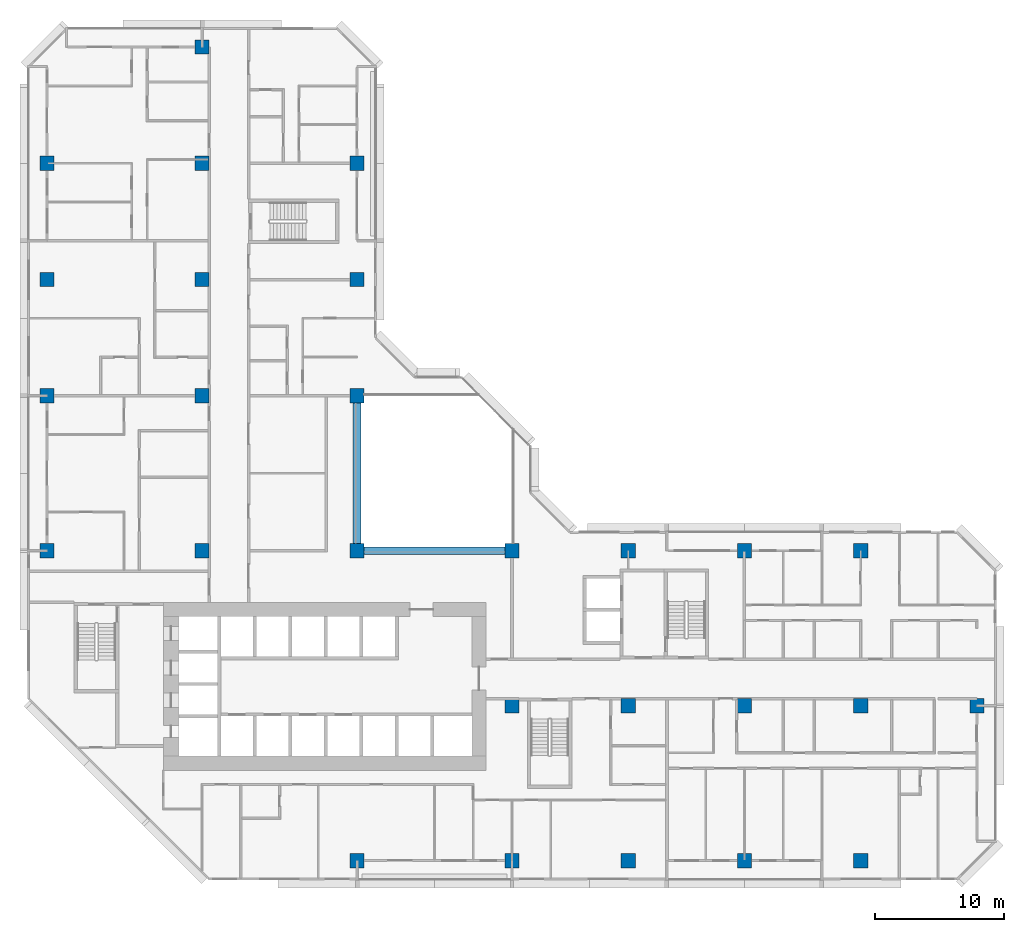
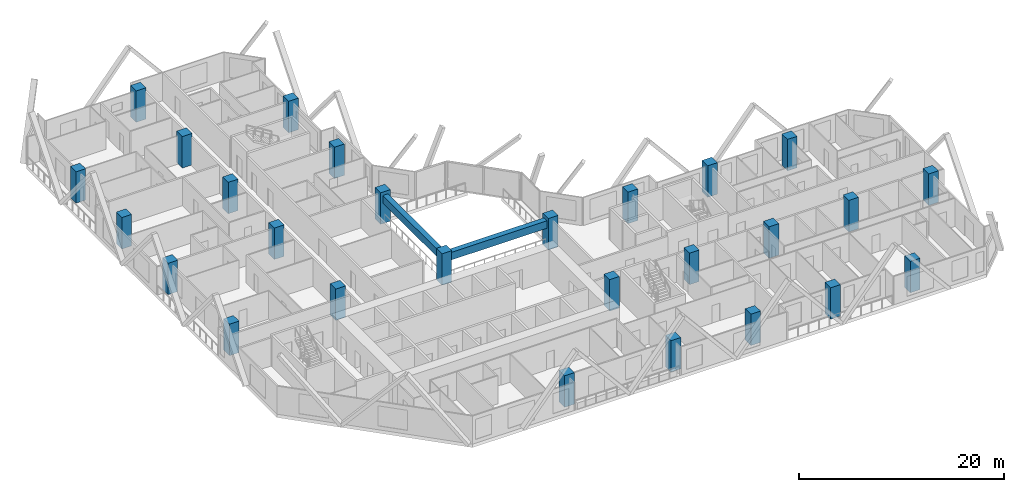
# One storey, part 1 of 16: 27 columns, 2 beams.
"""IFC4 building model written with IfcOpenShell, lengths in metres."""

from ifc_helpers import new_model, si_unit, direction, frame, origin, origin_2d, place, context, subcontext, project, spatial, rectangle, extrude, material, material_profile, profile_set, type_object, element, save


model = new_model("IFC4")

# Units and contexts
model_context = context("Model", 3, precision=1e-05, world=origin(), true_north=direction((0.0, 1.0)))
body_context = subcontext(model_context, "Body", "Model", "MODEL_VIEW")
ifc_project = project(units=[si_unit("LENGTHUNIT", "METRE"), si_unit("AREAUNIT", "SQUARE_METRE"), si_unit("VOLUMEUNIT", "CUBIC_METRE"), si_unit("PLANEANGLEUNIT", "RADIAN"), si_unit("MASSUNIT", "GRAM", prefix="KILO")], contexts=[model_context])

# Site, building, storey
site_placement = place(None, origin())
site = spatial("IfcSite", under=ifc_project, at=site_placement, CompositionType="ELEMENT")
building_placement = place(site_placement, origin())
building = spatial("IfcBuilding", under=site, at=building_placement, Name="Chenar Terraces", CompositionType="ELEMENT")
storey_placement = place(building_placement, frame((0.0, 0.0, 78.89990234375)))
storey = spatial("IfcBuildingStorey", under=building, at=storey_placement, Name="L17", CompositionType="ELEMENT", Elevation=78.89990234375)

# Columns
ifc_material_1 = material(Name="Concrete C70/85", Category="concrete")
ifc_material_profile_1 = material_profile(ifc_material_1, rectangle(XDim=1.10009765625, YDim=1.10009765625, at=origin_2d()), Name="C 1100 x 1100")
ifc_profile_set_1 = profile_set([ifc_material_profile_1], Name="Concrete C70/85")
column_type = type_object("IfcColumnType", Name="Column C 1100 x 1100 Concrete C70/85", PredefinedType="COLUMN", material=ifc_profile_set_1)
column_1_placement = place(storey_placement, frame((0.0, 24.0, 0.0), z_axis=(0.0, 0.0, 1.0), x_axis=(1.0, 0.0, 0.0)))
element("IfcColumn", 1, at=column_1_placement, inside=storey, type_object=column_type, Name="Column 5/G L17", PredefinedType="COLUMN", context=body_context, shape_type="SweptSolid", body=[
    extrude(rectangle(XDim=1.10009765625, YDim=1.10009765625, at=origin_2d()), origin(), (0.0, 0.0, 1.0), 3.75),
])
column_2_placement = place(storey_placement, frame((0.0, 36.0, 0.0), z_axis=(0.0, 0.0, 1.0), x_axis=(1.0, 0.0, 0.0)))
element("IfcColumn", 2, at=column_2_placement, inside=storey, type_object=column_type, Name="Column 5/H L17", PredefinedType="COLUMN", context=body_context, shape_type="SweptSolid", body=[
    extrude(rectangle(XDim=1.10009765625, YDim=1.10009765625, at=origin_2d()), origin(), (0.0, 0.0, 1.0), 3.75),
])
for number, where, z_axis, x_axis, name in (
    (3, (0.0, 45.0, 0.0), (0.0, 0.0, 1.0), (1.0, 0.0, 0.0), "Column 5/J L17"),
    (4, (0.0, 54.0, 0.0), (0.0, 0.0, 1.0), (1.0, 0.0, 0.0), "Column 5/K L17"),
    (5, (12.0, 24.0, 0.0), (0.0, 0.0, 1.0), (1.0, 0.0, 0.0), "Column 6/G L17"),
    (6, (12.0, 36.0, 0.0), (0.0, 0.0, 1.0), (1.0, 0.0, 0.0), "Column 6/H L17"),
    (7, (12.0, 45.0, 0.0), (0.0, 0.0, 1.0), (1.0, 0.0, 0.0), "Column 6/J L17"),
    (8, (12.0, 54.0, 0.0), (0.0, 0.0, 1.0), (1.0, 0.0, 0.0), "Column 6/K L17"),
    (9, (12.0, 63.0, 0.0), (0.0, 0.0, 1.0), (1.0, 0.0, 0.0), "Column 6/L L17"),
    (10, (24.0, 0.0, 0.0), (0.0, 0.0, 1.0), (1.0, 0.0, 0.0), "Column 7/E L17"),
    (11, (24.0, 24.0, 0.0), (0.0, 0.0, 1.0), (1.0, 0.0, 0.0), "Column 7/G L17"),
    (12, (24.0, 36.0, 0.0), (0.0, 0.0, 1.0), (1.0, 0.0, 0.0), "Column 7/H L17"),
    (13, (24.0, 45.0, 0.0), (0.0, 0.0, 1.0), (1.0, 0.0, 0.0), "Column 7/J L17"),
    (14, (24.0, 54.0, 0.0), (0.0, 0.0, 1.0), (1.0, 0.0, 0.0), "Column 7/K L17"),
    (15, (36.0, 0.0, 0.0), (0.0, 0.0, 1.0), (1.0, 0.0, 0.0), "Column 8/E L17"),
    (16, (36.0, 12.0, 0.0), (0.0, 0.0, 1.0), (1.0, 0.0, 0.0), "Column 8/F L17"),
    (17, (36.0, 24.0, 0.0), (0.0, 0.0, 1.0), (1.0, 0.0, 0.0), "Column 8/G L17"),
    (18, (45.0, 0.0, 0.0), (0.0, 0.0, 1.0), (1.0, 0.0, 0.0), "Column 9/E L17"),
    (19, (45.0, 12.0, 0.0), (0.0, 0.0, 1.0), (1.0, 0.0, 0.0), "Column 9/F L17"),
    (20, (45.0, 24.0, 0.0), (0.0, 0.0, 1.0), (1.0, 0.0, 0.0), "Column 9/G L17"),
    (21, (54.0, 0.0, 0.0), (0.0, 0.0, 1.0), (1.0, 0.0, 0.0), "Column 10/E L17"),
    (22, (54.0, 12.0, 0.0), (0.0, 0.0, 1.0), (1.0, 0.0, 0.0), "Column 10/F L17"),
    (23, (54.0, 24.0, 0.0), (0.0, 0.0, 1.0), (1.0, 0.0, 0.0), "Column 10/G L17"),
    (24, (63.0, 0.0, 0.0), (0.0, 0.0, 1.0), (1.0, 0.0, 0.0), "Column 11/E L17"),
    (25, (63.0, 12.0, 0.0), (0.0, 0.0, 1.0), (1.0, 0.0, 0.0), "Column 11/F L17"),
    (26, (63.0, 24.0, 0.0), (0.0, 0.0, 1.0), (1.0, 0.0, 0.0), "Column 11/G L17"),
    (27, (72.0, 12.0, 0.0), (0.0, 0.0, 1.0), (1.0, 0.0, 0.0), "Column 12/F L17"),
):
    element("IfcColumn", number, at=place(storey_placement, frame(where, z_axis=z_axis, x_axis=x_axis)), inside=storey, type_object=column_type, Name=name, PredefinedType="COLUMN", context=body_context, shape_type="SweptSolid", body=[
        extrude(rectangle(XDim=1.10009765625, YDim=1.10009765625, at=origin_2d()), origin(), (0.0, 0.0, 1.0), 3.75),
    ])

# Beams
ifc_material_2 = material(Name="Concrete C40/50", Category="concrete")
ifc_material_profile_2 = material_profile(ifc_material_2, rectangle(XDim=0.60009765625, YDim=0.89990234375, at=origin_2d()), Name="RC 600 x 900")
ifc_profile_set_2 = profile_set([ifc_material_profile_2], Name="Concrete C40/50")
beam_type = type_object("IfcBeamType", Name="Atrium edge beam 600 x 900 Concrete C40/50", PredefinedType="BEAM", material=ifc_profile_set_2)
for number, where, z_axis, x_axis, name in (
    (28, (24.550048828125, 24.0, 2.900146484375), (1.0, 0.0, 0.0), (0.0, 1.0, 0.0), "Atrium edge beam L18 1"),
    (29, (24.0, 35.449951171875, 2.900146484375), (0.0, -1.0, 0.0), (1.0, 0.0, 0.0), "Atrium edge beam L18 4"),
):
    element("IfcBeam", number, at=place(storey_placement, frame(where, z_axis=z_axis, x_axis=x_axis)), inside=storey, type_object=beam_type, Name=name, PredefinedType="BEAM", context=body_context, shape_type="SweptSolid", body=[
        extrude(rectangle(XDim=0.60009765625, YDim=0.89990234375, at=origin_2d()), origin(), (0.0, 0.0, 1.0), 10.89990234375),
    ])

save(model, "model.ifc")
